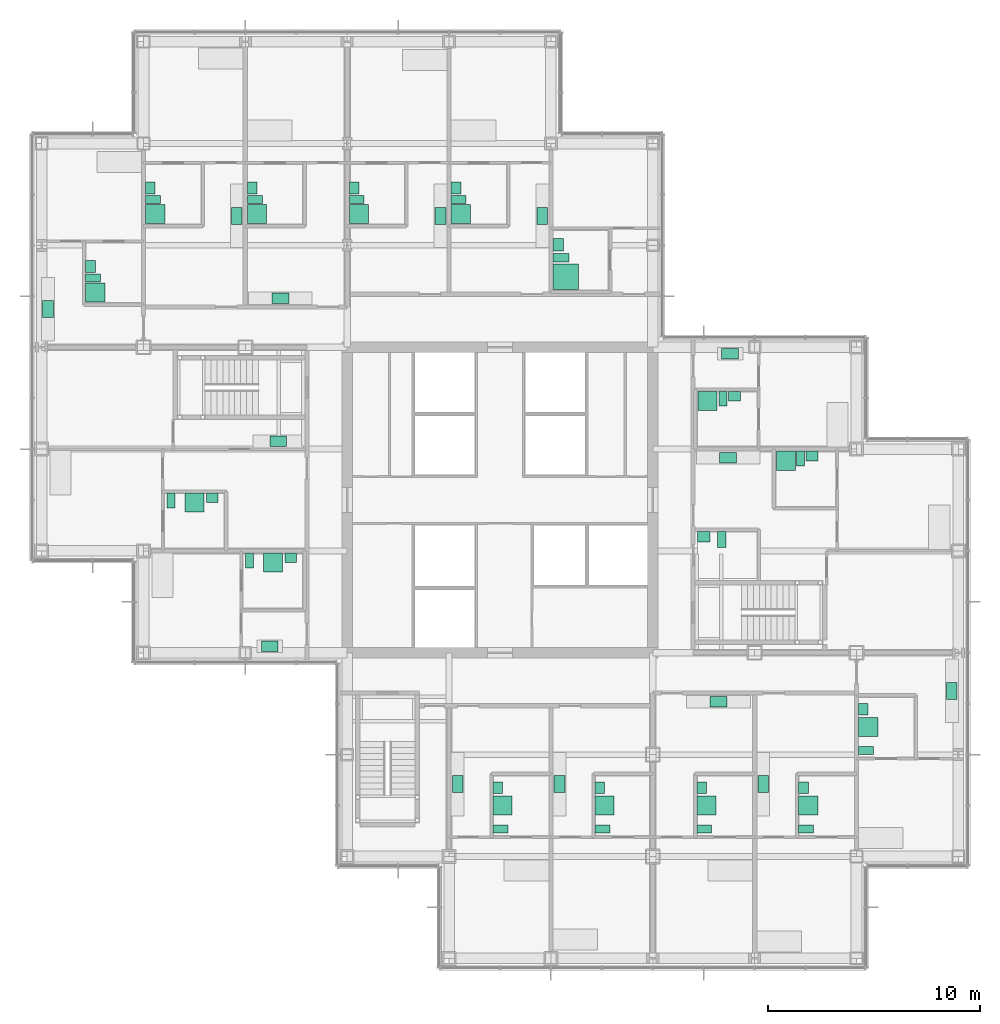
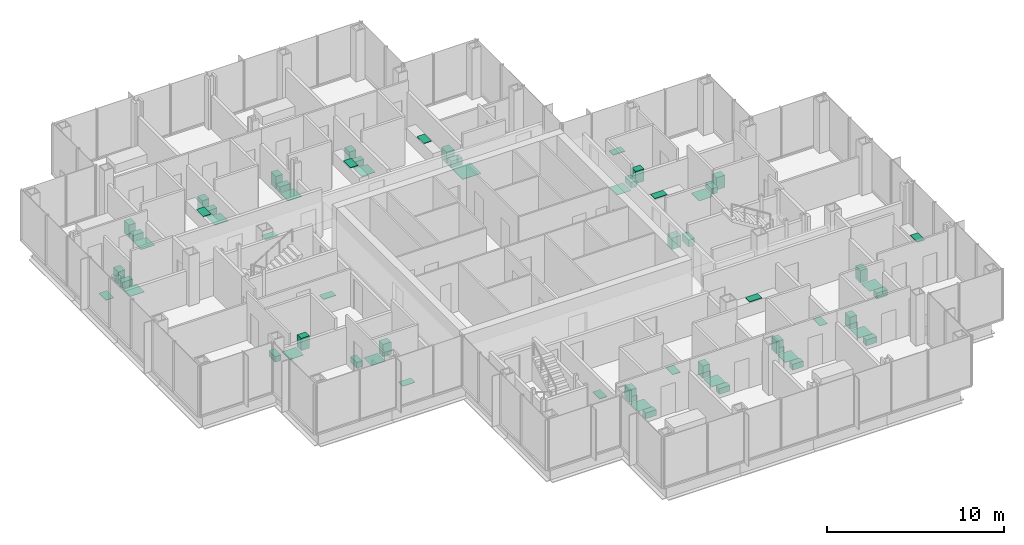
# One storey, part 18 of 19: 61 sanitary terminals.
"""IFC4 building model written with IfcOpenShell, lengths in metres."""

from ifc_helpers import new_model, si_unit, direction, frame, origin, origin_2d, place, context, subcontext, project, spatial, rectangle, extrude, material, type_object, element, save


model = new_model("IFC4")

# Units and contexts
model_context = context("Model", 3, precision=1e-05, world=origin(), true_north=direction((0.0, 1.0)))
body_context = subcontext(model_context, "Body", "Model", "MODEL_VIEW")
ifc_project = project(units=[si_unit("LENGTHUNIT", "METRE"), si_unit("AREAUNIT", "SQUARE_METRE"), si_unit("VOLUMEUNIT", "CUBIC_METRE"), si_unit("PLANEANGLEUNIT", "RADIAN"), si_unit("MASSUNIT", "GRAM", prefix="KILO")], contexts=[model_context])

# Site, building, storey
site_placement = place(None, origin())
site = spatial("IfcSite", under=ifc_project, at=site_placement, CompositionType="ELEMENT")
building_placement = place(site_placement, origin())
building = spatial("IfcBuilding", under=site, at=building_placement, Name="Kvirike Care Tower", CompositionType="ELEMENT")
storey_placement = place(building_placement, frame((0.0, 0.0, 87.5)))
storey = spatial("IfcBuildingStorey", under=building, at=storey_placement, Name="L23", CompositionType="ELEMENT", Elevation=87.5)

# Sanitary terminals
ifc_material_1 = material(Name="Vitreous china", Category="ceramic")
sanitary_terminal_type_1 = type_object("IfcSanitaryTerminalType", Name="ACCESSIBLE WASH BASIN 600 x 500", PredefinedType="WASHHANDBASIN", material=ifc_material_1)
for number, where, z_axis, x_axis, name in (
    (1, (24.35205078125, 48.02490234375, 0.02001953125), (0.0, 0.0, 1.0), (0.0, 1.0, 0.0), "Accessible wash basin L23-032"),
    (2, (31.199951171875, 34.27294921875, 0.02001953125), (0.0, 0.0, 1.0), (1.0, 0.0, 0.0), "Accessible wash basin L23-054"),
):
    element("IfcSanitaryTerminal", number, at=place(storey_placement, frame(where, z_axis=z_axis, x_axis=x_axis)), inside=storey, type_object=sanitary_terminal_type_1, Name=name, PredefinedType="WASHHANDBASIN", context=body_context, shape_type="SweptSolid", body=[
        extrude(rectangle(XDim=0.60009765625, YDim=0.5, at=origin_2d()), origin(), (0.0, 0.0, 1.0), 0.800048828125),
    ])
ifc_material_2 = material(Name="Vitreous china", Category="ceramic")
sanitary_terminal_type_2 = type_object("IfcSanitaryTerminalType", Name="ACCESSIBLE WC PAN 400 x 750", PredefinedType="TOILETPAN", material=ifc_material_2)
for number, where, z_axis, x_axis, name in (
    (3, (24.47705078125, 47.425048828125, 0.02001953125), (0.0, 0.0, 1.0), (0.0, 1.0, 0.0), "Accessible WC pan L23-032"),
    (4, (32.050048828125, 34.14794921875, 0.02001953125), (0.0, 0.0, 1.0), (1.0, 0.0, 0.0), "Accessible WC pan L23-054"),
):
    element("IfcSanitaryTerminal", number, at=place(storey_placement, frame(where, z_axis=z_axis, x_axis=x_axis)), inside=storey, type_object=sanitary_terminal_type_2, Name=name, PredefinedType="TOILETPAN", context=body_context, shape_type="SweptSolid", body=[
        extrude(rectangle(XDim=0.39990234375, YDim=0.75, at=origin_2d()), origin(), (0.0, 0.0, 1.0), 0.47998046875),
    ])
ifc_material_3 = material(Name="Stainless steel", Category="steel")
sanitary_terminal_type_3 = type_object("IfcSanitaryTerminalType", Name="KITCHEN SINK 800 x 500", PredefinedType="SINK", material=ifc_material_3)
for number, where, z_axis, x_axis, name in (
    (5, (11.14990234375, 38.761962890625, 0.89990234375), (0.0, 0.0, 1.0), (-1.0, 0.0, 0.0), "Kitchen sink L23-006"),
    (6, (10.75, 29.10205078125, 0.89990234375), (0.0, 0.0, 1.0), (-1.0, 0.0, 0.0), "Kitchen sink L23-010"),
    (7, (11.25, 45.501953125, 0.89990234375), (0.0, 0.0, 1.0), (-1.0, 0.0, 0.0), "Kitchen sink L23-014"),
    (8, (9.197998046875, 49.389892578125, 0.89990234375), (0.0, 0.0, 1.0), (0.0, -1.0, 0.0), "Kitchen sink L23-017"),
    (9, (0.302001953125, 44.9970703125, 0.89990234375), (0.0, 0.0, 1.0), (0.0, 1.0, 0.0), "Kitchen sink L23-020"),
    (10, (19.60205078125, 22.610107421875, 0.89990234375), (0.0, 0.0, 1.0), (0.0, 1.0, 0.0), "Kitchen sink L23-026"),
    (11, (24.402099609375, 22.610107421875, 0.89990234375), (0.0, 0.0, 1.0), (0.0, 1.0, 0.0), "Kitchen sink L23-029"),
    (12, (23.597900390625, 49.389892578125, 0.89990234375), (0.0, 0.0, 1.0), (0.0, -1.0, 0.0), "Kitchen sink L23-036"),
    (13, (18.798095703125, 49.389892578125, 0.89990234375), (0.0, 0.0, 1.0), (0.0, -1.0, 0.0), "Kitchen sink L23-039"),
    (14, (31.89990234375, 26.498046875, 0.89990234375), (0.0, 0.0, 1.0), (1.0, 0.0, 0.0), "Kitchen sink L23-043"),
    (15, (34.001953125, 22.610107421875, 0.89990234375), (0.0, 0.0, 1.0), (0.0, 1.0, 0.0), "Kitchen sink L23-046"),
    (16, (42.89794921875, 27.0029296875, 0.89990234375), (0.0, 0.0, 1.0), (0.0, -1.0, 0.0), "Kitchen sink L23-049"),
    (17, (32.35009765625, 37.998046875, 0.89990234375), (0.0, 0.0, 1.0), (1.0, 0.0, 0.0), "Kitchen sink L23-056"),
    (18, (32.449951171875, 42.89794921875, 0.89990234375), (0.0, 0.0, 1.0), (1.0, 0.0, 0.0), "Kitchen sink L23-059"),
):
    element("IfcSanitaryTerminal", number, at=place(storey_placement, frame(where, z_axis=z_axis, x_axis=x_axis)), inside=storey, type_object=sanitary_terminal_type_3, Name=name, PredefinedType="SINK", context=body_context, shape_type="SweptSolid", body=[
        extrude(rectangle(XDim=0.800048828125, YDim=0.5, at=origin_2d()), origin(), (0.0, 0.0, 1.0), 0.030029296875),
    ])
ifc_material_4 = material(Name="Stainless steel", Category="steel")
sanitary_terminal_type_4 = type_object("IfcSanitaryTerminalType", Name="LEVEL-ACCESS SHOWER 1200 x 1200", PredefinedType="SHOWER", material=ifc_material_4)
sanitary_terminal_placement = place(storey_placement, frame((24.701904296875, 46.52490234375, 0.02001953125), z_axis=(0.0, 0.0, 1.0), x_axis=(0.0, 1.0, 0.0)))
element("IfcSanitaryTerminal", 19, at=sanitary_terminal_placement, inside=storey, type_object=sanitary_terminal_type_4, Name="Level-access shower L23-032", PredefinedType="SHOWER", context=body_context, shape_type="SweptSolid", body=[
    extrude(rectangle(XDim=1.199951171875, YDim=1.199951171875, at=origin_2d()), origin(), (0.0, 0.0, 1.0), 0.02001953125),
])
ifc_material_5 = material(Name="Stainless steel", Category="steel")
sanitary_terminal_type_5 = type_object("IfcSanitaryTerminalType", Name="LEVEL-ACCESS SHOWER 900 x 900", PredefinedType="SHOWER", material=ifc_material_5)
for number, where, z_axis, x_axis, name in (
    (20, (7.2099609375, 35.873046875, 0.02001953125), (0.0, 0.0, 1.0), (1.0, 0.0, 0.0), "Level-access shower L23-005"),
    (21, (10.909912109375, 33.048095703125, 0.02001953125), (0.0, 0.0, 1.0), (1.0, 0.0, 0.0), "Level-access shower L23-009"),
    (22, (10.152099609375, 49.47509765625, 0.02001953125), (0.0, 0.0, 1.0), (0.0, 1.0, 0.0), "Level-access shower L23-013"),
    (23, (5.35205078125, 49.47509765625, 0.02001953125), (0.0, 0.0, 1.0), (0.0, 1.0, 0.0), "Level-access shower L23-016"),
    (24, (2.527099609375, 45.77490234375, 0.02001953125), (0.0, 0.0, 1.0), (0.0, 1.0, 0.0), "Level-access shower L23-019"),
    (25, (21.72705078125, 21.610107421875, 0.02001953125), (0.0, 0.0, 1.0), (0.0, 1.0, 0.0), "Level-access shower L23-025"),
    (26, (26.527099609375, 21.610107421875, 0.02001953125), (0.0, 0.0, 1.0), (0.0, 1.0, 0.0), "Level-access shower L23-028"),
    (27, (19.751953125, 49.47509765625, 0.02001953125), (0.0, 0.0, 1.0), (0.0, 1.0, 0.0), "Level-access shower L23-035"),
    (28, (14.951904296875, 49.47509765625, 0.02001953125), (0.0, 0.0, 1.0), (0.0, 1.0, 0.0), "Level-access shower L23-038"),
    (29, (31.326904296875, 21.610107421875, 0.02001953125), (0.0, 0.0, 1.0), (0.0, 1.0, 0.0), "Level-access shower L23-042"),
    (30, (36.126953125, 21.610107421875, 0.02001953125), (0.0, 0.0, 1.0), (0.0, 1.0, 0.0), "Level-access shower L23-045"),
    (31, (38.951904296875, 25.31005859375, 0.02001953125), (0.0, 0.0, 1.0), (0.0, 1.0, 0.0), "Level-access shower L23-048"),
    (32, (35.074951171875, 37.847900390625, 0.02001953125), (0.0, 0.0, 1.0), (1.0, 0.0, 0.0), "Level-access shower L23-055"),
    (33, (31.375, 40.673095703125, 0.02001953125), (0.0, 0.0, 1.0), (1.0, 0.0, 0.0), "Level-access shower L23-058"),
):
    element("IfcSanitaryTerminal", number, at=place(storey_placement, frame(where, z_axis=z_axis, x_axis=x_axis)), inside=storey, type_object=sanitary_terminal_type_5, Name=name, PredefinedType="SHOWER", context=body_context, shape_type="SweptSolid", body=[
        extrude(rectangle(XDim=0.89990234375, YDim=0.89990234375, at=origin_2d()), origin(), (0.0, 0.0, 1.0), 0.02001953125),
    ])
ifc_material_6 = material(Name="Vitreous china", Category="ceramic")
sanitary_terminal_type_6 = type_object("IfcSanitaryTerminalType", Name="WASH BASIN 550 x 450", PredefinedType="WASHHANDBASIN", material=ifc_material_6)
for number, where, z_axis, x_axis, name in (
    (34, (8.034912109375, 36.097900390625, 0.02001953125), (0.0, 0.0, 1.0), (1.0, 0.0, 0.0), "Wash basin L23-005"),
    (35, (11.735107421875, 33.27294921875, 0.02001953125), (0.0, 0.0, 1.0), (1.0, 0.0, 0.0), "Wash basin L23-009"),
    (36, (9.927001953125, 50.699951171875, 0.02001953125), (0.0, 0.0, 1.0), (0.0, 1.0, 0.0), "Wash basin L23-013"),
    (37, (5.126953125, 50.699951171875, 0.02001953125), (0.0, 0.0, 1.0), (0.0, 1.0, 0.0), "Wash basin L23-016"),
    (38, (2.302001953125, 47.0, 0.02001953125), (0.0, 0.0, 1.0), (0.0, 1.0, 0.0), "Wash basin L23-019"),
    (39, (21.501953125, 22.43505859375, 0.02001953125), (0.0, 0.0, 1.0), (0.0, 1.0, 0.0), "Wash basin L23-025"),
    (40, (26.302001953125, 22.43505859375, 0.02001953125), (0.0, 0.0, 1.0), (0.0, 1.0, 0.0), "Wash basin L23-028"),
    (41, (19.527099609375, 50.699951171875, 0.02001953125), (0.0, 0.0, 1.0), (0.0, 1.0, 0.0), "Wash basin L23-035"),
    (42, (14.72705078125, 50.699951171875, 0.02001953125), (0.0, 0.0, 1.0), (0.0, 1.0, 0.0), "Wash basin L23-038"),
    (43, (31.10205078125, 22.43505859375, 0.02001953125), (0.0, 0.0, 1.0), (0.0, 1.0, 0.0), "Wash basin L23-042"),
    (44, (35.902099609375, 22.43505859375, 0.02001953125), (0.0, 0.0, 1.0), (0.0, 1.0, 0.0), "Wash basin L23-045"),
    (45, (38.72705078125, 26.135009765625, 0.02001953125), (0.0, 0.0, 1.0), (0.0, 1.0, 0.0), "Wash basin L23-048"),
    (46, (36.300048828125, 38.072998046875, 0.02001953125), (0.0, 0.0, 1.0), (1.0, 0.0, 0.0), "Wash basin L23-055"),
    (47, (32.64990234375, 40.89794921875, 0.02001953125), (0.0, 0.0, 1.0), (1.0, 0.0, 0.0), "Wash basin L23-058"),
):
    element("IfcSanitaryTerminal", number, at=place(storey_placement, frame(where, z_axis=z_axis, x_axis=x_axis)), inside=storey, type_object=sanitary_terminal_type_6, Name=name, PredefinedType="WASHHANDBASIN", context=body_context, shape_type="SweptSolid", body=[
        extrude(rectangle(XDim=0.550048828125, YDim=0.449951171875, at=origin_2d()), origin(), (0.0, 0.0, 1.0), 0.85009765625),
    ])
ifc_material_7 = material(Name="Vitreous china", Category="ceramic")
sanitary_terminal_type_7 = type_object("IfcSanitaryTerminalType", Name="WC PAN 380 x 700", PredefinedType="TOILETPAN", material=ifc_material_7)
for number, where, z_axis, x_axis, name in (
    (48, (6.10009765625, 35.972900390625, 0.02001953125), (0.0, 0.0, 1.0), (1.0, 0.0, 0.0), "WC pan L23-005"),
    (49, (9.800048828125, 33.14794921875, 0.02001953125), (0.0, 0.0, 1.0), (1.0, 0.0, 0.0), "WC pan L23-009"),
    (50, (10.052001953125, 50.1650390625, 0.02001953125), (0.0, 0.0, 1.0), (0.0, 1.0, 0.0), "WC pan L23-013"),
    (51, (5.251953125, 50.1650390625, 0.02001953125), (0.0, 0.0, 1.0), (0.0, 1.0, 0.0), "WC pan L23-016"),
    (52, (2.427001953125, 46.465087890625, 0.02001953125), (0.0, 0.0, 1.0), (0.0, 1.0, 0.0), "WC pan L23-019"),
    (53, (21.626953125, 20.5, 0.02001953125), (0.0, 0.0, 1.0), (0.0, 1.0, 0.0), "WC pan L23-025"),
    (54, (26.427001953125, 20.5, 0.02001953125), (0.0, 0.0, 1.0), (0.0, 1.0, 0.0), "WC pan L23-028"),
    (55, (19.652099609375, 50.1650390625, 0.02001953125), (0.0, 0.0, 1.0), (0.0, 1.0, 0.0), "WC pan L23-035"),
    (56, (14.85205078125, 50.1650390625, 0.02001953125), (0.0, 0.0, 1.0), (0.0, 1.0, 0.0), "WC pan L23-038"),
    (57, (31.22705078125, 20.5, 0.02001953125), (0.0, 0.0, 1.0), (0.0, 1.0, 0.0), "WC pan L23-042"),
    (58, (36.027099609375, 20.5, 0.02001953125), (0.0, 0.0, 1.0), (0.0, 1.0, 0.0), "WC pan L23-045"),
    (59, (38.85205078125, 24.199951171875, 0.02001953125), (0.0, 0.0, 1.0), (0.0, 1.0, 0.0), "WC pan L23-048"),
    (60, (35.764892578125, 37.947998046875, 0.02001953125), (0.0, 0.0, 1.0), (1.0, 0.0, 0.0), "WC pan L23-055"),
    (61, (32.114990234375, 40.77294921875, 0.02001953125), (0.0, 0.0, 1.0), (1.0, 0.0, 0.0), "WC pan L23-058"),
):
    element("IfcSanitaryTerminal", number, at=place(storey_placement, frame(where, z_axis=z_axis, x_axis=x_axis)), inside=storey, type_object=sanitary_terminal_type_7, Name=name, PredefinedType="TOILETPAN", context=body_context, shape_type="SweptSolid", body=[
        extrude(rectangle(XDim=0.3798828125, YDim=0.699951171875, at=origin_2d()), origin(), (0.0, 0.0, 1.0), 0.39990234375),
    ])

save(model, "model.ifc")
